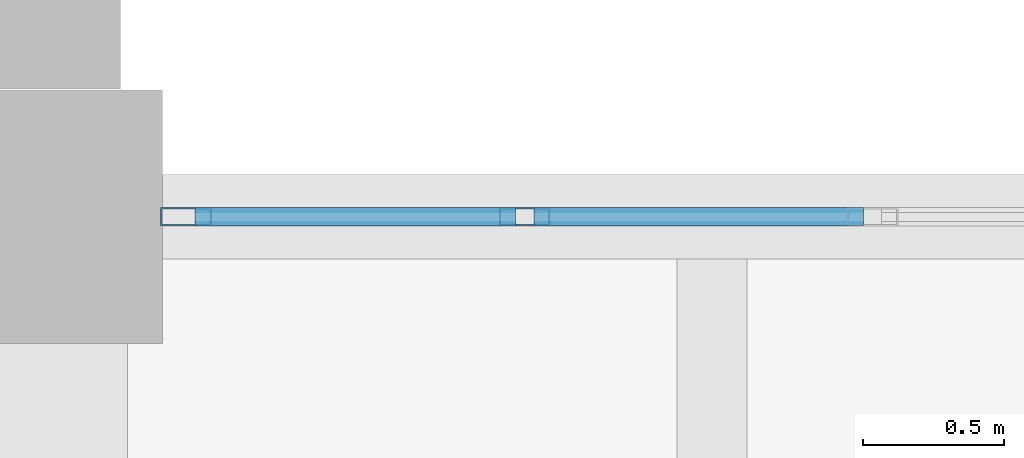
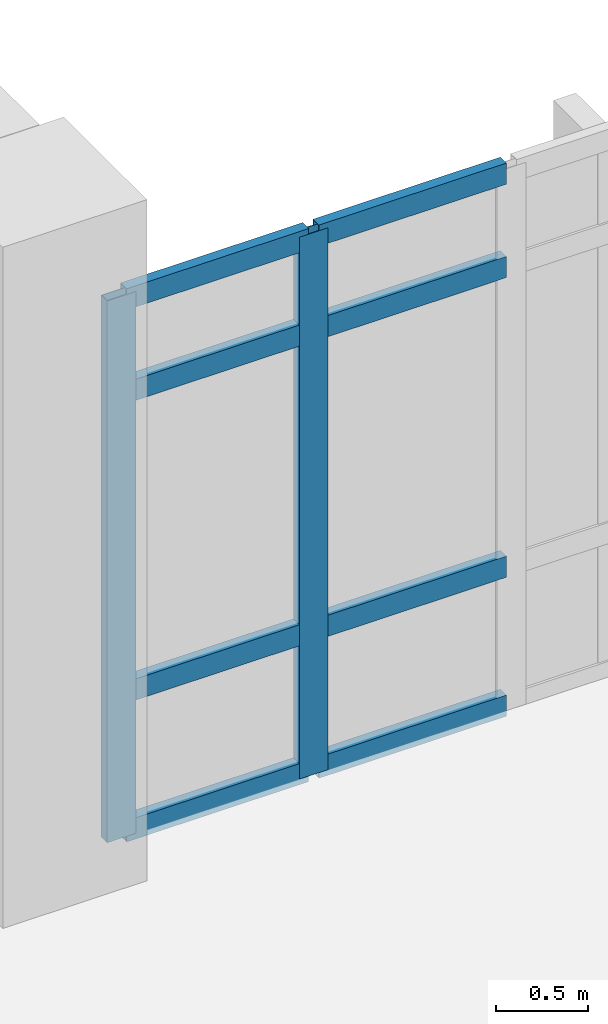
# One storey, part 55 of 134: 10 members, 1 element without a shape of its own.
"""IFC4 building model written with IfcOpenShell, lengths in metres."""

from ifc_helpers import new_model, si_unit, direction, frame, origin, origin_2d, place, context, subcontext, project, spatial, hollow_rectangle, extrude, material, material_profile, profile_set, type_object, element, aggregate, save


model = new_model("IFC4")

# Units and contexts
model_context = context("Model", 3, precision=1e-05, world=origin(), true_north=direction((0.0, 1.0)))
body_context = subcontext(model_context, "Body", "Model", "MODEL_VIEW")
ifc_project = project(units=[si_unit("LENGTHUNIT", "METRE"), si_unit("AREAUNIT", "SQUARE_METRE"), si_unit("VOLUMEUNIT", "CUBIC_METRE"), si_unit("PLANEANGLEUNIT", "RADIAN"), si_unit("MASSUNIT", "GRAM", prefix="KILO")], contexts=[model_context])

# Site, building, storey
site_placement = place(None, origin())
site = spatial("IfcSite", under=ifc_project, at=site_placement, CompositionType="ELEMENT")
building_placement = place(site_placement, origin())
building = spatial("IfcBuilding", under=site, at=building_placement, Name="Kalluvel Institute of Natural Sciences", CompositionType="ELEMENT")
storey_placement = place(building_placement, frame((0.0, 0.0, 5.39990234375)))
storey = spatial("IfcBuildingStorey", under=building, at=storey_placement, Name="L01", CompositionType="ELEMENT", Elevation=5.39990234375)

# Curtain wall, members
ifc_material = material(Name="Aluminium AW-6063 T6", Category="aluminium")
curtain_wall_type = type_object("IfcCurtainWallType", Name="CW-WET-45", PredefinedType="USERDEFINED", material=ifc_material)
curtain_wall_placement = place(storey_placement, origin())
curtain_wall = element("IfcCurtainWall", 1, at=curtain_wall_placement, inside=storey, type_object=curtain_wall_type, Name="L01 Gothic lancet curtain wall CWA-L01-X433-Y1280", ObjectType="UNITISED LANCET FACADE", PredefinedType="USERDEFINED")
ifc_material_profile_1 = material_profile(ifc_material, hollow_rectangle(XDim=0.06494140625, YDim=0.179931640625, WallThickness=0.00439453125, at=origin_2d()), Name="CWM 65x180")
ifc_profile_set_1 = profile_set([ifc_material_profile_1], Name="Aluminium AW-6063 T6")
member_type_1 = type_object("IfcMemberType", Name="CWM-65x180", PredefinedType="MULLION", material=ifc_profile_set_1)
member_1_placement = place(storey_placement, frame((43.33251953125, 128.0, 0.0), z_axis=(0.0, 0.0, 1.0), x_axis=(0.0, 1.0, 0.0)))
member_1 = element("IfcMember", 2, at=member_1_placement, type_object=member_type_1, Name="CW-01 mullion 1", PredefinedType="MULLION", context=body_context, shape_type="SweptSolid", body=[
    extrude(hollow_rectangle(XDim=0.06494140625, YDim=0.179931640625, WallThickness=0.00439453125, at=origin_2d()), origin(), (0.0, 0.0, 1.0), 3.580078125),
])
member_2_placement = place(storey_placement, frame((44.534912109375, 128.0, 0.0), z_axis=(0.0, 0.0, 1.0), x_axis=(0.0, 1.0, 0.0)))
member_2 = element("IfcMember", 3, at=member_2_placement, type_object=member_type_1, Name="CW-01 mullion 2", PredefinedType="MULLION", context=body_context, shape_type="SweptSolid", body=[
    extrude(hollow_rectangle(XDim=0.06494140625, YDim=0.179931640625, WallThickness=0.00439453125, at=origin_2d()), origin(), (0.0, 0.0, 1.0), 3.580078125),
])
ifc_material_profile_2 = material_profile(ifc_material, hollow_rectangle(XDim=0.06494140625, YDim=0.139892578125, WallThickness=0.00439453125, at=origin_2d()), Name="CWT 65x140")
ifc_profile_set_2 = profile_set([ifc_material_profile_2], Name="Aluminium AW-6063 T6")
member_type_2 = type_object("IfcMemberType", Name="CWT-65x140", PredefinedType="USERDEFINED", material=ifc_profile_set_2)
member_3_placement = place(storey_placement, frame((43.364990234375, 128.0, 0.03271484375), z_axis=(1.0, 0.0, 0.0), x_axis=(0.0, 1.0, 0.0)))
member_3 = element("IfcMember", 4, at=member_3_placement, type_object=member_type_2, Name="CW-01 transom 1.1", ObjectType="TRANSOM", PredefinedType="USERDEFINED", context=body_context, shape_type="SweptSolid", body=[
    extrude(hollow_rectangle(XDim=0.06494140625, YDim=0.139892578125, WallThickness=0.00439453125, at=origin_2d()), origin(), (0.0, 0.0, 1.0), 1.137451171875),
])
member_4_placement = place(storey_placement, frame((43.364990234375, 128.0, 0.9501953125), z_axis=(1.0, 0.0, 0.0), x_axis=(0.0, 1.0, 0.0)))
member_4 = element("IfcMember", 5, at=member_4_placement, type_object=member_type_2, Name="CW-01 transom 1.2", ObjectType="TRANSOM", PredefinedType="USERDEFINED", context=body_context, shape_type="SweptSolid", body=[
    extrude(hollow_rectangle(XDim=0.06494140625, YDim=0.139892578125, WallThickness=0.00439453125, at=origin_2d()), origin(), (0.0, 0.0, 1.0), 1.137451171875),
])
member_5_placement = place(storey_placement, frame((43.364990234375, 128.0, 2.93017578125), z_axis=(1.0, 0.0, 0.0), x_axis=(0.0, 1.0, 0.0)))
member_5 = element("IfcMember", 6, at=member_5_placement, type_object=member_type_2, Name="CW-01 transom 1.3", ObjectType="TRANSOM", PredefinedType="USERDEFINED", context=body_context, shape_type="SweptSolid", body=[
    extrude(hollow_rectangle(XDim=0.06494140625, YDim=0.139892578125, WallThickness=0.00439453125, at=origin_2d()), origin(), (0.0, 0.0, 1.0), 1.137451171875),
])
member_6_placement = place(storey_placement, frame((43.364990234375, 128.0, 3.547607421875), z_axis=(1.0, 0.0, 0.0), x_axis=(0.0, 1.0, 0.0)))
member_6 = element("IfcMember", 7, at=member_6_placement, type_object=member_type_2, Name="CW-01 transom 1.4", ObjectType="TRANSOM", PredefinedType="USERDEFINED", context=body_context, shape_type="SweptSolid", body=[
    extrude(hollow_rectangle(XDim=0.06494140625, YDim=0.139892578125, WallThickness=0.00439453125, at=origin_2d()), origin(), (0.0, 0.0, 1.0), 1.137451171875),
])
member_7_placement = place(storey_placement, frame((44.5673828125, 128.0, 0.03271484375), z_axis=(1.0, 0.0, 0.0), x_axis=(0.0, 1.0, 0.0)))
member_7 = element("IfcMember", 8, at=member_7_placement, type_object=member_type_2, Name="CW-01 transom 2.1", ObjectType="TRANSOM", PredefinedType="USERDEFINED", context=body_context, shape_type="SweptSolid", body=[
    extrude(hollow_rectangle(XDim=0.06494140625, YDim=0.139892578125, WallThickness=0.00439453125, at=origin_2d()), origin(), (0.0, 0.0, 1.0), 1.170166015625),
])
member_8_placement = place(storey_placement, frame((44.5673828125, 128.0, 0.9501953125), z_axis=(1.0, 0.0, 0.0), x_axis=(0.0, 1.0, 0.0)))
member_8 = element("IfcMember", 9, at=member_8_placement, type_object=member_type_2, Name="CW-01 transom 2.2", ObjectType="TRANSOM", PredefinedType="USERDEFINED", context=body_context, shape_type="SweptSolid", body=[
    extrude(hollow_rectangle(XDim=0.06494140625, YDim=0.139892578125, WallThickness=0.00439453125, at=origin_2d()), origin(), (0.0, 0.0, 1.0), 1.170166015625),
])
member_9_placement = place(storey_placement, frame((44.5673828125, 128.0, 2.93017578125), z_axis=(1.0, 0.0, 0.0), x_axis=(0.0, 1.0, 0.0)))
member_9 = element("IfcMember", 10, at=member_9_placement, type_object=member_type_2, Name="CW-01 transom 2.3", ObjectType="TRANSOM", PredefinedType="USERDEFINED", context=body_context, shape_type="SweptSolid", body=[
    extrude(hollow_rectangle(XDim=0.06494140625, YDim=0.139892578125, WallThickness=0.00439453125, at=origin_2d()), origin(), (0.0, 0.0, 1.0), 1.170166015625),
])
member_10_placement = place(storey_placement, frame((44.5673828125, 128.0, 3.547607421875), z_axis=(1.0, 0.0, 0.0), x_axis=(0.0, 1.0, 0.0)))
member_10 = element("IfcMember", 11, at=member_10_placement, type_object=member_type_2, Name="CW-01 transom 2.4", ObjectType="TRANSOM", PredefinedType="USERDEFINED", context=body_context, shape_type="SweptSolid", body=[
    extrude(hollow_rectangle(XDim=0.06494140625, YDim=0.139892578125, WallThickness=0.00439453125, at=origin_2d()), origin(), (0.0, 0.0, 1.0), 1.170166015625),
])
aggregate(curtain_wall, [member_1, member_2, member_3, member_4, member_5, member_6, member_7, member_8, member_9, member_10])

save(model, "model.ifc")
